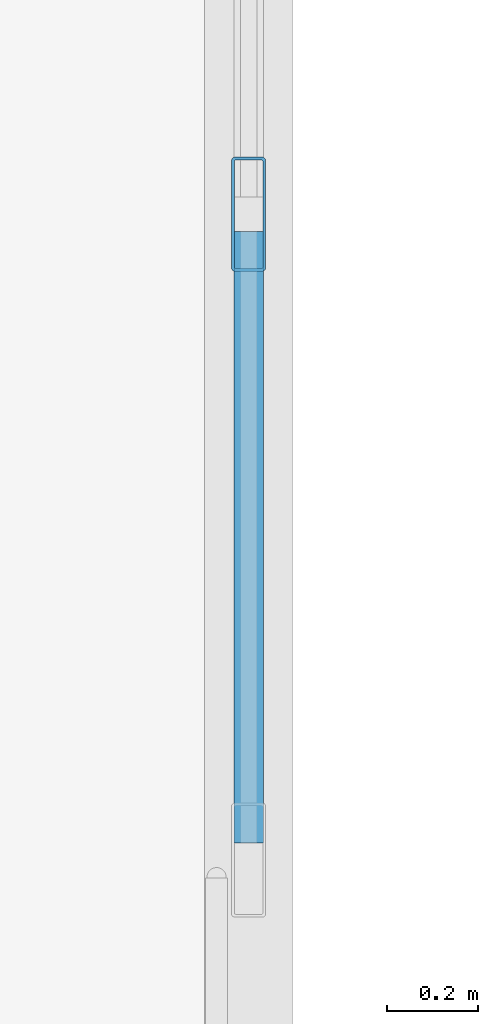
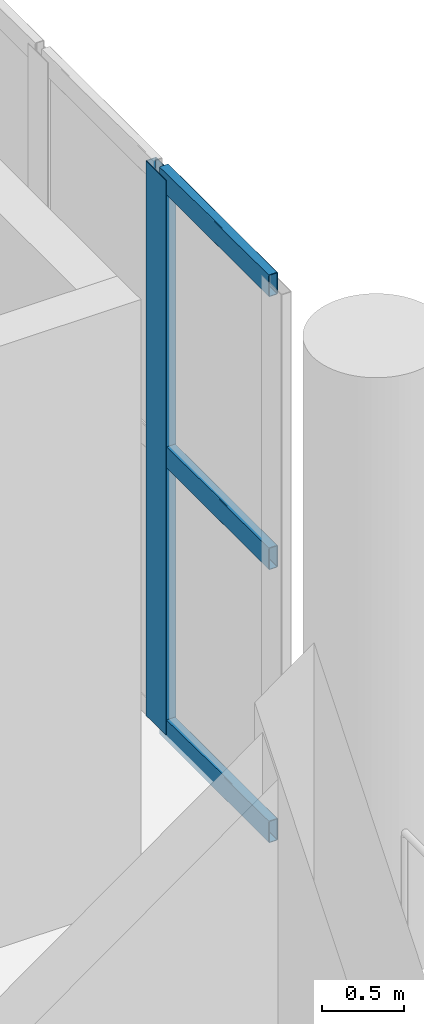
# One storey, part 60 of 108: 4 members, 1 element without a shape of its own.
"""IFC4 building model written with IfcOpenShell, lengths in metres."""

from ifc_helpers import new_model, si_unit, direction, frame, origin, origin_2d, place, context, subcontext, project, spatial, hollow_rectangle, extrude, material, layer, layer_set, material_profile, profile_set, type_object, element, aggregate, save


model = new_model("IFC4")

# Units and contexts
model_context = context("Model", 3, precision=1e-05, world=origin(), true_north=direction((0.0, 1.0)))
body_context = subcontext(model_context, "Body", "Model", "MODEL_VIEW")
ifc_project = project(units=[si_unit("LENGTHUNIT", "METRE"), si_unit("AREAUNIT", "SQUARE_METRE"), si_unit("VOLUMEUNIT", "CUBIC_METRE"), si_unit("PLANEANGLEUNIT", "RADIAN"), si_unit("MASSUNIT", "GRAM", prefix="KILO")], contexts=[model_context])

# Site, building, storey
site_placement = place(None, origin())
site = spatial("IfcSite", under=ifc_project, at=site_placement, CompositionType="ELEMENT")
building_placement = place(site_placement, origin())
building = spatial("IfcBuilding", under=site, at=building_placement, Name="Brinegate Civic Arena", CompositionType="ELEMENT")
storey_placement = place(building_placement, frame((0.0, 0.0, 10.199951171875)))
storey = spatial("IfcBuildingStorey", under=building, at=storey_placement, Name="L02", CompositionType="ELEMENT", Elevation=10.199951171875)

# Curtain wall, members
ifc_material = material(Name="Marine grade aluminium", Category="aluminium")
ifc_layer = layer(ifc_material, 0.199951171875, Name="Marine grade aluminium")
ifc_layer_set = layer_set([ifc_layer], Name="Marine grade aluminium")
curtain_wall_type = type_object("IfcCurtainWallType", Name="CW-BOWL-GLAZED-01", PredefinedType="USERDEFINED", material=ifc_layer_set)
curtain_wall_placement = place(storey_placement, origin())
curtain_wall = element("IfcCurtainWall", 1, at=curtain_wall_placement, inside=storey, type_object=curtain_wall_type, Name="Curtain Wall CWA-090", ObjectType="GLAZED CURTAIN WALL", PredefinedType="USERDEFINED")
ifc_material_profile_1 = material_profile(ifc_material, hollow_rectangle(XDim=0.074951171875, YDim=0.25, WallThickness=0.006103515625, InnerFilletRadius=0.00390625, OuterFilletRadius=0.008056640625, at=origin_2d()), Name="MUL75X250")
ifc_profile_set_1 = profile_set([ifc_material_profile_1], Name="Marine grade aluminium")
member_type_1 = type_object("IfcMemberType", Name="CW-MULLION-75X250", PredefinedType="MULLION", material=ifc_profile_set_1)
member_1_placement = place(storey_placement, frame((168.0, 95.6357421875, 0.0), z_axis=(0.0, 0.0, 1.0), x_axis=(-1.0, 0.0, 0.0)))
member_1 = element("IfcMember", 2, at=member_1_placement, type_object=member_type_1, Name="CWA-090 mullion 2", PredefinedType="MULLION", context=body_context, shape_type="SweptSolid", body=[
    extrude(hollow_rectangle(XDim=0.074951171875, YDim=0.25, WallThickness=0.006103515625, InnerFilletRadius=0.00390625, OuterFilletRadius=0.008056640625, at=origin_2d()), origin(), (0.0, 0.0, 1.0), 4.150146484375),
])
ifc_material_profile_2 = material_profile(ifc_material, hollow_rectangle(XDim=0.06494140625, YDim=0.1650390625, WallThickness=0.0048828125, InnerFilletRadius=0.00390625, OuterFilletRadius=0.008056640625, at=origin_2d()), Name="TRN65X165")
ifc_profile_set_2 = profile_set([ifc_material_profile_2], Name="Marine grade aluminium")
member_type_2 = type_object("IfcMemberType", Name="CW-TRANSOM-65X165", PredefinedType="USERDEFINED", material=ifc_profile_set_2)
member_2_placement = place(storey_placement, frame((168.0, 94.260986328125, 0.032470703125), z_axis=(0.0, 1.0, 0.0), x_axis=(-1.0, 0.0, 0.0)))
member_2 = element("IfcMember", 3, at=member_2_placement, type_object=member_type_2, Name="CWA-090 transom 1.1", ObjectType="TRANSOM", PredefinedType="USERDEFINED", context=body_context, shape_type="SweptSolid", body=[
    extrude(hollow_rectangle(XDim=0.06494140625, YDim=0.1650390625, WallThickness=0.0048828125, InnerFilletRadius=0.00390625, OuterFilletRadius=0.008056640625, at=origin_2d()), origin(), (0.0, 0.0, 1.0), 1.337158203125),
])
member_3_placement = place(storey_placement, frame((168.0, 94.260986328125, 2.074951171875), z_axis=(0.0, 1.0, 0.0), x_axis=(-1.0, 0.0, 0.0)))
member_3 = element("IfcMember", 4, at=member_3_placement, type_object=member_type_2, Name="CWA-090 transom 1.2", ObjectType="TRANSOM", PredefinedType="USERDEFINED", context=body_context, shape_type="SweptSolid", body=[
    extrude(hollow_rectangle(XDim=0.06494140625, YDim=0.1650390625, WallThickness=0.0048828125, InnerFilletRadius=0.00390625, OuterFilletRadius=0.008056640625, at=origin_2d()), origin(), (0.0, 0.0, 1.0), 1.337158203125),
])
member_4_placement = place(storey_placement, frame((168.0, 94.260986328125, 4.117431640625), z_axis=(0.0, 1.0, 0.0), x_axis=(-1.0, 0.0, 0.0)))
member_4 = element("IfcMember", 5, at=member_4_placement, type_object=member_type_2, Name="CWA-090 transom 1.3", ObjectType="TRANSOM", PredefinedType="USERDEFINED", context=body_context, shape_type="SweptSolid", body=[
    extrude(hollow_rectangle(XDim=0.06494140625, YDim=0.1650390625, WallThickness=0.0048828125, InnerFilletRadius=0.00390625, OuterFilletRadius=0.008056640625, at=origin_2d()), origin(), (0.0, 0.0, 1.0), 1.337158203125),
])
aggregate(curtain_wall, [member_1, member_2, member_3, member_4])

save(model, "model.ifc")
